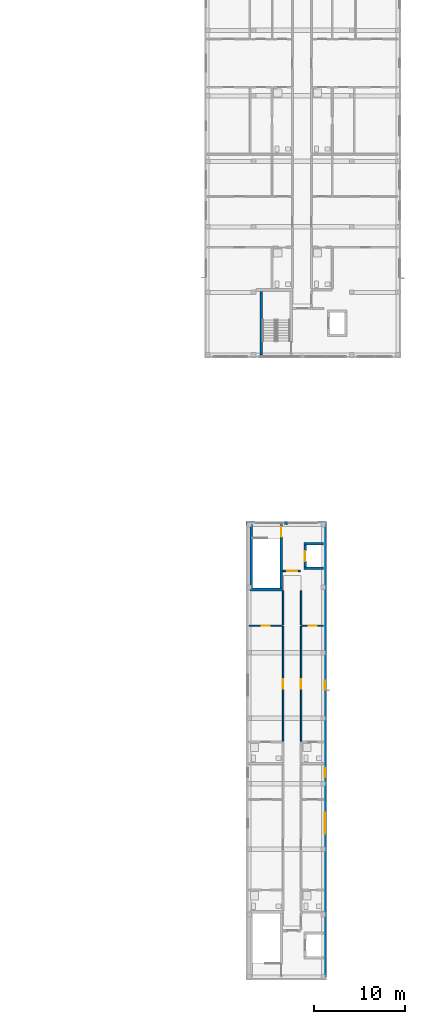
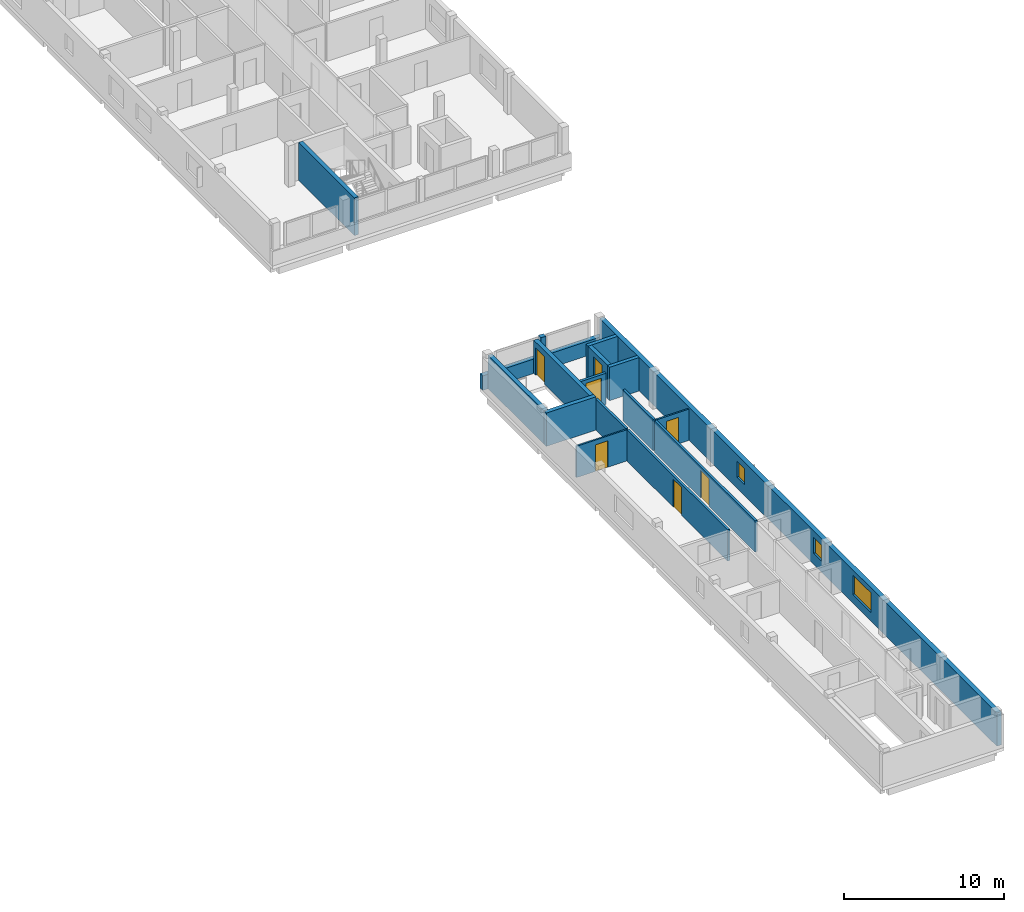
# One storey, part 15 of 28: 17 walls, 7 doors, 3 windows, 10 openings.
"""IFC4 building model written with IfcOpenShell, lengths in metres."""

from ifc_helpers import new_model, si_unit, derived_unit, direction, frame, frame_2d, origin, place, context, subcontext, project, spatial, rectangle, extrude, material, layer, layer_set, type_object, element, fill, save


model = new_model("IFC4")

# Units and contexts
model_context = context("Model", 3, precision=1e-05, world=origin(), true_north=direction((0.0, 1.0)))
body_context = subcontext(model_context, "Body", "Model", "MODEL_VIEW")
ifc_project = project(units=[si_unit("LENGTHUNIT", "METRE"), si_unit("AREAUNIT", "SQUARE_METRE"), si_unit("VOLUMEUNIT", "CUBIC_METRE"), si_unit("PLANEANGLEUNIT", "RADIAN"), si_unit("MASSUNIT", "GRAM", prefix="KILO"), derived_unit("THERMALTRANSMITTANCEUNIT", [(si_unit("MASSUNIT", "GRAM", prefix="KILO"), 1), (si_unit("TIMEUNIT", "SECOND"), -3), (si_unit("THERMODYNAMICTEMPERATUREUNIT", "KELVIN"), -1)])], contexts=[model_context])

# Site, building, storey
site_placement = place(None, origin())
site = spatial("IfcSite", under=ifc_project, at=site_placement, CompositionType="ELEMENT")
building_placement = place(site_placement, origin())
building = spatial("IfcBuilding", under=site, at=building_placement, Name="Ochrekiln Boulevard Commons", CompositionType="ELEMENT")
storey_placement = place(building_placement, frame((0.0, 0.0, 34.125)))
storey = spatial("IfcBuildingStorey", under=building, at=storey_placement, Name="L10", CompositionType="ELEMENT", Elevation=34.125)

# Wall, openings, windows
ifc_material_1 = material(Name="Desert ochre clinker brick masonry ASTM C216 Grade SW", Category="masonry")
ifc_layer_1 = layer(ifc_material_1, 0.330078125)
ifc_layer_set_1 = layer_set([ifc_layer_1], Name="Desert ochre clinker brick masonry ASTM C216 Grade SW")
wall_type_1 = type_object("IfcWallType", Name="WL-EXT-OCHRE-330", PredefinedType="SOLIDWALL", material=ifc_layer_set_1)
wall_1_placement = place(storey_placement, frame((164.43505859375, 0.330078125, 0.0), z_axis=(0.0, 0.0, 1.0), x_axis=(0.0, 1.0, 0.0)))
wall_1 = element("IfcWall", 1, at=wall_1_placement, inside=storey, type_object=wall_type_1, Name="Block C L10 E Exterior Wall", PredefinedType="SOLIDWALL", context=body_context, shape_type="SweptSolid", body=[
    extrude(rectangle(XDim=49.739990234375, YDim=0.330078125, at=frame_2d((24.8701171875, 0.0))), origin(), (0.0, 0.0, 1.0), 2.550048828125),
])
opening_1_placement = place(wall_1_placement, frame((15.740966796875, 0.0, 0.6650390625)))
opening_1 = element("IfcOpeningElement", 2, at=opening_1_placement, cuts=wall_1, Name="Opening W-58", PredefinedType="OPENING", context=body_context, shape_type="SweptSolid", body=[
    extrude(rectangle(XDim=2.300048828125, YDim=1.5, at=frame_2d((1.14990234375, 0.75))), frame((0.0, 0.175048828125, 0.0), z_axis=(0.0, -1.0, 0.0), x_axis=(1.0, 0.0, 0.0)), (0.0, 0.0, 1.0), 0.35009765625),
])
opening_2_placement = place(wall_1_placement, frame((21.98095703125, 0.0, 0.85009765625)))
opening_2 = element("IfcOpeningElement", 3, at=opening_2_placement, cuts=wall_1, Name="Opening W-01", PredefinedType="OPENING", context=body_context, shape_type="SweptSolid", body=[
    extrude(rectangle(XDim=0.949951171875, YDim=1.199951171875, at=frame_2d((0.47509765625, 0.60009765625))), frame((0.0, 0.175048828125, 0.0), z_axis=(0.0, -1.0, 0.0), x_axis=(1.0, 0.0, 0.0)), (0.0, 0.0, 1.0), 0.35009765625),
])
opening_3_placement = place(wall_1_placement, frame((31.594970703125, 0.0, 0.85009765625)))
opening_3 = element("IfcOpeningElement", 4, at=opening_3_placement, cuts=wall_1, Name="Opening W-01", PredefinedType="OPENING", context=body_context, shape_type="SweptSolid", body=[
    extrude(rectangle(XDim=0.949951171875, YDim=1.199951171875, at=frame_2d((0.47509765625, 0.60009765625))), frame((0.0, 0.175048828125, 0.0), z_axis=(0.0, -1.0, 0.0), x_axis=(1.0, 0.0, 0.0)), (0.0, 0.0, 1.0), 0.35009765625),
])
ifc_material_2 = material(Name="Thermally broken aluminium-clad oak frame", Category="aluminium")
window_type_1 = type_object("IfcWindowType", Name="WIN-EXT-01", PartitioningType="SINGLE_PANEL", PredefinedType="WINDOW", material=ifc_material_2)
window_1_placement = place(opening_2_placement, origin())
window_1 = element("IfcWindow", 5, at=window_1_placement, inside=storey, type_object=window_type_1, Name="Block C L10 Punched Masonry Window W-01", OverallHeight=1.199951171875, OverallWidth=0.949951171875, PartitioningType="SINGLE_PANEL", PredefinedType="WINDOW", context=body_context, shape_type="SweptSolid", body=[
    extrude(rectangle(XDim=0.949951171875, YDim=1.199951171875, at=frame_2d((0.47509765625, 0.60009765625))), frame((0.0, 0.030029296875, 0.0), z_axis=(0.0, -1.0, 0.0), x_axis=(1.0, 0.0, 0.0)), (0.0, 0.0, 1.0), 0.06005859375),
])
fill(opening_2, window_1)
window_2_placement = place(opening_3_placement, origin())
window_2 = element("IfcWindow", 6, at=window_2_placement, inside=storey, type_object=window_type_1, Name="Block C L10 Punched Masonry Window W-01", OverallHeight=1.199951171875, OverallWidth=0.949951171875, PartitioningType="SINGLE_PANEL", PredefinedType="WINDOW", context=body_context, shape_type="SweptSolid", body=[
    extrude(rectangle(XDim=0.949951171875, YDim=1.199951171875, at=frame_2d((0.47509765625, 0.60009765625))), frame((0.0, 0.030029296875, 0.0), z_axis=(0.0, -1.0, 0.0), x_axis=(1.0, 0.0, 0.0)), (0.0, 0.0, 1.0), 0.06005859375),
])
fill(opening_3, window_2)
window_type_2 = type_object("IfcWindowType", Name="WIN-EXT-58", PartitioningType="DOUBLE_PANEL_VERTICAL", PredefinedType="WINDOW", material=ifc_material_2)
window_3_placement = place(opening_1_placement, origin())
window_3 = element("IfcWindow", 7, at=window_3_placement, inside=storey, type_object=window_type_2, Name="Block C L10 Punched Masonry Window W-58", OverallHeight=1.5, OverallWidth=2.300048828125, PartitioningType="DOUBLE_PANEL_VERTICAL", PredefinedType="WINDOW", context=body_context, shape_type="SweptSolid", body=[
    extrude(rectangle(XDim=2.300048828125, YDim=1.5, at=frame_2d((1.14990234375, 0.75))), frame((0.0, 0.030029296875, 0.0), z_axis=(0.0, -1.0, 0.0), x_axis=(1.0, 0.0, 0.0)), (0.0, 0.0, 1.0), 0.06005859375),
])
fill(opening_1, window_3)

# Walls
wall_2_placement = place(storey_placement, frame((155.800048828125, 50.235107421875, 0.0), z_axis=(0.0, 0.0, 1.0), x_axis=(1.0, 0.0, 0.0)))
element("IfcWall", 8, at=wall_2_placement, inside=storey, type_object=wall_type_1, Name="Block C L10 Courtyard Gable Sill Wall", PredefinedType="SOLIDWALL", context=body_context, shape_type="SweptSolid", body=[
    extrude(rectangle(XDim=8.800048828125, YDim=0.330078125, at=frame_2d((4.39990234375, 0.0))), origin(), (0.0, 0.0, 1.0), 1.110107421875),
])
wall_3_placement = place(storey_placement, frame((160.02001953125, 50.235107421875, 1.110107421875), z_axis=(0.0, 0.0, 1.0), x_axis=(1.0, 0.0, 0.0)))
element("IfcWall", 9, at=wall_3_placement, inside=storey, type_object=wall_type_1, Name="Block C L10 Courtyard Gable Mullion Pier", PredefinedType="SOLIDWALL", context=body_context, shape_type="SweptSolid", body=[
    extrude(rectangle(XDim=0.35986328125, YDim=0.330078125, at=frame_2d((0.179931640625, 0.0))), origin(), (0.0, 0.0, 1.0), 1.43994140625),
])

# Wall, opening, door
ifc_material_3 = material(Name="Fire-rated Type X gypsum board on steel studs", Category="steel")
ifc_layer_2 = layer(ifc_material_3, 0.1650390625)
ifc_layer_set_2 = layer_set([ifc_layer_2], Name="Fire-rated Type X gypsum board on steel studs")
wall_type_2 = type_object("IfcWallType", Name="WL-PT-CORR-165", PredefinedType="PARTITIONING", material=ifc_layer_set_2)
wall_4_placement = place(storey_placement, frame((159.860107421875, 26.261962890625, 0.0), z_axis=(0.0, 0.0, 1.0), x_axis=(0.0, 1.0, 0.0)))
wall_4 = element("IfcWall", 10, at=wall_4_placement, inside=storey, type_object=wall_type_2, Name="L10 Interior Wall W-PC165", PredefinedType="PARTITIONING", context=body_context, shape_type="SweptSolid", body=[
    extrude(rectangle(XDim=12.608154296875, YDim=0.1650390625, at=frame_2d((6.30419921875, 0.0))), origin(), (0.0, 0.0, 1.0), 2.389892578125),
])
opening_4_placement = place(wall_4_placement, frame((5.779052734375, 0.0, 0.0)))
opening_4 = element("IfcOpeningElement", 11, at=opening_4_placement, cuts=wall_4, Name="Opening D-L10-1228", PredefinedType="OPENING", context=body_context, shape_type="SweptSolid", body=[
    extrude(rectangle(XDim=1.050048828125, YDim=2.1298828125, at=frame_2d((0.52490234375, 1.06494140625))), frame((0.0, 0.092529296875, 0.0), z_axis=(0.0, -1.0, 0.0), x_axis=(1.0, 0.0, 0.0)), (0.0, 0.0, 1.0), 0.18505859375),
])
ifc_material_4 = material(Name="Solid core architectural oak door leaf")
door_type_1 = type_object("IfcDoorType", Name="DR-INT-APT-105", OperationType="NOTDEFINED", PredefinedType="DOOR", material=ifc_material_4)
door_1_placement = place(opening_4_placement, origin())
door_1 = element("IfcDoor", 12, at=door_1_placement, inside=storey, type_object=door_type_1, Name="L10 Interior Door to Loft Living Room", OperationType="SINGLE_SWING_RIGHT", OverallHeight=2.1298828125, OverallWidth=1.050048828125, PredefinedType="DOOR", context=body_context, shape_type="SweptSolid", body=[
    extrude(rectangle(XDim=1.050048828125, YDim=2.1298828125, at=frame_2d((0.52490234375, 1.06494140625))), frame((0.0, 0.02490234375, 0.0), z_axis=(0.0, -1.0, 0.0), x_axis=(1.0, 0.0, 0.0)), (0.0, 0.0, 1.0), 0.050048828125),
])
fill(opening_4, door_1)

# Wall
wall_5_placement = place(storey_placement, frame((159.860107421875, 39.030029296875, 0.0), z_axis=(0.0, 0.0, 1.0), x_axis=(0.0, 1.0, 0.0)))
element("IfcWall", 13, at=wall_5_placement, inside=storey, type_object=wall_type_2, Name="L10 Interior Wall W-PC165", PredefinedType="PARTITIONING", context=body_context, shape_type="SweptSolid", body=[
    extrude(rectangle(XDim=3.77001953125, YDim=0.1650390625, at=frame_2d((1.885009765625, 0.0))), origin(), (0.0, 0.0, 1.0), 2.389892578125),
])

# Wall, opening, door
wall_6_placement = place(storey_placement, frame((161.840087890625, 26.261962890625, 0.0), z_axis=(0.0, 0.0, 1.0), x_axis=(0.0, 1.0, 0.0)))
wall_6 = element("IfcWall", 14, at=wall_6_placement, inside=storey, type_object=wall_type_2, Name="L10 Interior Wall W-PC165", PredefinedType="PARTITIONING", context=body_context, shape_type="SweptSolid", body=[
    extrude(rectangle(XDim=12.608154296875, YDim=0.1650390625, at=frame_2d((6.30419921875, 0.0))), origin(), (0.0, 0.0, 1.0), 2.389892578125),
])
opening_5_placement = place(wall_6_placement, frame((5.779052734375, 0.0, 0.0)))
opening_5 = element("IfcOpeningElement", 15, at=opening_5_placement, cuts=wall_6, Name="Opening D-L10-1230", PredefinedType="OPENING", context=body_context, shape_type="SweptSolid", body=[
    extrude(rectangle(XDim=1.050048828125, YDim=2.1298828125, at=frame_2d((0.52490234375, 1.06494140625))), frame((0.0, 0.092529296875, 0.0), z_axis=(0.0, -1.0, 0.0), x_axis=(1.0, 0.0, 0.0)), (0.0, 0.0, 1.0), 0.18505859375),
])
door_2_placement = place(opening_5_placement, frame((1.050048828125, 0.0, 0.0), z_axis=(0.0, 0.0, 1.0), x_axis=(-1.0, 0.0, 0.0)))
door_2 = element("IfcDoor", 16, at=door_2_placement, inside=storey, type_object=door_type_1, Name="L10 Interior Door to Loft Living Room", OperationType="SINGLE_SWING_RIGHT", OverallHeight=2.1298828125, OverallWidth=1.050048828125, PredefinedType="DOOR", context=body_context, shape_type="SweptSolid", body=[
    extrude(rectangle(XDim=1.050048828125, YDim=2.1298828125, at=frame_2d((0.52490234375, 1.06494140625))), frame((0.0, 0.02490234375, 0.0), z_axis=(0.0, -1.0, 0.0), x_axis=(1.0, 0.0, 0.0)), (0.0, 0.0, 1.0), 0.050048828125),
])
fill(opening_5, door_2)

# Wall
wall_7_placement = place(storey_placement, frame((161.840087890625, 39.030029296875, 0.0), z_axis=(0.0, 0.0, 1.0), x_axis=(0.0, 1.0, 0.0)))
element("IfcWall", 17, at=wall_7_placement, inside=storey, type_object=wall_type_2, Name="L10 Interior Wall W-PC165", PredefinedType="PARTITIONING", context=body_context, shape_type="SweptSolid", body=[
    extrude(rectangle(XDim=3.77001953125, YDim=0.1650390625, at=frame_2d((1.885009765625, 0.0))), origin(), (0.0, 0.0, 1.0), 2.389892578125),
])

# Wall, opening, door
ifc_layer_3 = layer(ifc_material_3, 0.18994140625)
ifc_layer_set_3 = layer_set([ifc_layer_3], Name="Fire-rated Type X gypsum board on steel studs")
wall_type_3 = type_object("IfcWallType", Name="WL-PT-LBY-190", PredefinedType="PARTITIONING", material=ifc_layer_set_3)
wall_8_placement = place(storey_placement, frame((159.800048828125, 44.97998046875, 0.0), z_axis=(0.0, 0.0, 1.0), x_axis=(1.0, 0.0, 0.0)))
wall_8 = element("IfcWall", 18, at=wall_8_placement, inside=storey, type_object=wall_type_3, Name="L10 Interior Wall W-PL190", PredefinedType="PARTITIONING", context=body_context, shape_type="SweptSolid", body=[
    extrude(rectangle(XDim=1.949951171875, YDim=0.18994140625, at=frame_2d((0.97509765625, 0.0))), origin(), (0.0, 0.0, 1.0), 2.389892578125),
])
opening_6_placement = place(wall_8_placement, frame((0.5, 0.0, 0.0)))
opening_6 = element("IfcOpeningElement", 19, at=opening_6_placement, cuts=wall_8, Name="Opening D-L10-1225", PredefinedType="OPENING", context=body_context, shape_type="SweptSolid", body=[
    extrude(rectangle(XDim=1.10009765625, YDim=2.1201171875, at=frame_2d((0.550048828125, 1.06005859375))), frame((0.0, 0.10498046875, 0.0), z_axis=(0.0, -1.0, 0.0), x_axis=(1.0, 0.0, 0.0)), (0.0, 0.0, 1.0), 0.2099609375),
])
ifc_material_5 = material(Name="Hollow metal fire-rated steel door assembly", Category="steel")
door_type_2 = type_object("IfcDoorType", Name="DR-LOBBY-60", OperationType="NOTDEFINED", PredefinedType="DOOR", material=ifc_material_5)
door_3_placement = place(opening_6_placement, origin())
door_3 = element("IfcDoor", 20, at=door_3_placement, inside=storey, type_object=door_type_2, Name="L10 Interior Door to Passenger Elevator Lobby", OperationType="SINGLE_SWING_LEFT", OverallHeight=2.1201171875, OverallWidth=1.10009765625, PredefinedType="DOOR", context=body_context, shape_type="SweptSolid", body=[
    extrude(rectangle(XDim=1.10009765625, YDim=2.1201171875, at=frame_2d((0.550048828125, 1.06005859375))), frame((0.0, 0.02490234375, 0.0), z_axis=(0.0, -1.0, 0.0), x_axis=(1.0, 0.0, 0.0)), (0.0, 0.0, 1.0), 0.050048828125),
])
fill(opening_6, door_3)

ifc_layer_4 = layer(ifc_material_3, 0.1201171875)
ifc_layer_set_4 = layer_set([ifc_layer_4], Name="Fire-rated Type X gypsum board on steel studs")
wall_type_4 = type_object("IfcWallType", Name="WL-PT-LGT-120", PredefinedType="PARTITIONING", material=ifc_layer_set_4)
wall_9_placement = place(storey_placement, frame((156.1298828125, 38.949951171875, 0.0), z_axis=(0.0, 0.0, 1.0), x_axis=(1.0, 0.0, 0.0)))
wall_9 = element("IfcWall", 21, at=wall_9_placement, inside=storey, type_object=wall_type_4, Name="L10 Interior Wall W-PL120", PredefinedType="PARTITIONING", context=body_context, shape_type="SweptSolid", body=[
    extrude(rectangle(XDim=3.648193359375, YDim=0.1201171875, at=frame_2d((1.82421875, 0.0))), origin(), (0.0, 0.0, 1.0), 2.389892578125),
])
opening_7_placement = place(wall_9_placement, frame((1.389892578125, 0.0, 0.0)))
opening_7 = element("IfcOpeningElement", 22, at=opening_7_placement, cuts=wall_9, Name="Opening D-L10-1234", PredefinedType="OPENING", context=body_context, shape_type="SweptSolid", body=[
    extrude(rectangle(XDim=0.8798828125, YDim=2.02001953125, at=frame_2d((0.43994140625, 1.010009765625))), frame((0.0, 0.070068359375, 0.0), z_axis=(0.0, -1.0, 0.0), x_axis=(1.0, 0.0, 0.0)), (0.0, 0.0, 1.0), 0.14013671875),
])
door_type_3 = type_object("IfcDoorType", Name="DR-INT-KIT-088", OperationType="NOTDEFINED", PredefinedType="DOOR", material=ifc_material_4)
door_4_placement = place(opening_7_placement, origin())
door_4 = element("IfcDoor", 23, at=door_4_placement, inside=storey, type_object=door_type_3, Name="L10 Interior Door to Loft Kitchen", OperationType="SINGLE_SWING_RIGHT", OverallHeight=2.02001953125, OverallWidth=0.8798828125, PredefinedType="DOOR", context=body_context, shape_type="SweptSolid", body=[
    extrude(rectangle(XDim=0.8798828125, YDim=2.02001953125, at=frame_2d((0.43994140625, 1.010009765625))), frame((0.0, 0.02490234375, 0.0), z_axis=(0.0, -1.0, 0.0), x_axis=(1.0, 0.0, 0.0)), (0.0, 0.0, 1.0), 0.050048828125),
])
fill(opening_7, door_4)

wall_10_placement = place(storey_placement, frame((161.923095703125, 38.949951171875, 0.0), z_axis=(0.0, 0.0, 1.0), x_axis=(1.0, 0.0, 0.0)))
wall_10 = element("IfcWall", 24, at=wall_10_placement, inside=storey, type_object=wall_type_4, Name="L10 Interior Wall W-PL120", PredefinedType="PARTITIONING", context=body_context, shape_type="SweptSolid", body=[
    extrude(rectangle(XDim=2.346923828125, YDim=0.1201171875, at=frame_2d((1.17333984375, 0.0))), origin(), (0.0, 0.0, 1.0), 2.389892578125),
])
opening_8_placement = place(wall_10_placement, frame((0.72705078125, 0.0, 0.0)))
opening_8 = element("IfcOpeningElement", 25, at=opening_8_placement, cuts=wall_10, Name="Opening D-L10-1238", PredefinedType="OPENING", context=body_context, shape_type="SweptSolid", body=[
    extrude(rectangle(XDim=0.8798828125, YDim=2.02001953125, at=frame_2d((0.43994140625, 1.010009765625))), frame((0.0, 0.070068359375, 0.0), z_axis=(0.0, -1.0, 0.0), x_axis=(1.0, 0.0, 0.0)), (0.0, 0.0, 1.0), 0.14013671875),
])
door_5_placement = place(opening_8_placement, origin())
door_5 = element("IfcDoor", 26, at=door_5_placement, inside=storey, type_object=door_type_3, Name="L10 Interior Door to Loft Kitchen", OperationType="SINGLE_SWING_RIGHT", OverallHeight=2.02001953125, OverallWidth=0.8798828125, PredefinedType="DOOR", context=body_context, shape_type="SweptSolid", body=[
    extrude(rectangle(XDim=0.8798828125, YDim=2.02001953125, at=frame_2d((0.43994140625, 1.010009765625))), frame((0.0, 0.02490234375, 0.0), z_axis=(0.0, -1.0, 0.0), x_axis=(1.0, 0.0, 0.0)), (0.0, 0.0, 1.0), 0.050048828125),
])
fill(opening_8, door_5)

# Walls
ifc_material_6 = material(Name="Concrete C40/50", Category="concrete")
ifc_layer_5 = layer(ifc_material_6, 0.27490234375)
ifc_layer_set_5 = layer_set([ifc_layer_5], Name="Concrete C40/50")
wall_type_5 = type_object("IfcWallType", Name="WL-SH-275", PredefinedType="SHEAR", material=ifc_layer_set_5)
for number, where, z_axis, x_axis, name in (
    (27, (162.125, 45.262451171875, 0.0), (0.0, 0.0, 1.0), (1.0, 0.0, 0.0), "Elevator LP-C2 L10 Hoistway Shear Wall"),
    (28, (162.125, 47.9375, 0.0), (0.0, 0.0, 1.0), (1.0, 0.0, 0.0), "Elevator LP-C2 L10 Hoistway Shear Wall"),
):
    element("IfcWall", number, at=place(storey_placement, frame(where, z_axis=z_axis, x_axis=x_axis)), inside=storey, type_object=wall_type_5, Name=name, PredefinedType="SHEAR", context=body_context, shape_type="SweptSolid", body=[
        extrude(rectangle(XDim=2.14990234375, YDim=0.27490234375, at=frame_2d((1.074951171875, 0.0))), origin(), (0.0, 0.0, 1.0), 2.550048828125),
    ])

# Wall, opening, door
wall_11_placement = place(storey_placement, frame((162.262451171875, 45.39990234375, 0.0), z_axis=(0.0, 0.0, 1.0), x_axis=(0.0, 1.0, 0.0)))
wall_11 = element("IfcWall", 29, at=wall_11_placement, inside=storey, type_object=wall_type_5, Name="Elevator LP-C2 L10 Hoistway Shear Wall", PredefinedType="SHEAR", context=body_context, shape_type="SweptSolid", body=[
    extrude(rectangle(XDim=2.400146484375, YDim=0.27490234375, at=frame_2d((1.2001953125, 0.0))), origin(), (0.0, 0.0, 1.0), 2.550048828125),
])
opening_9_placement = place(wall_11_placement, frame((0.64990234375, 0.0, 0.0)))
opening_9 = element("IfcOpeningElement", 30, at=opening_9_placement, cuts=wall_11, Name="Opening LD-LP-C2-L10", PredefinedType="OPENING", context=body_context, shape_type="SweptSolid", body=[
    extrude(rectangle(XDim=1.10009765625, YDim=2.14990234375, at=frame_2d((0.550048828125, 1.074951171875))), frame((0.0, 0.1474609375, 0.0), z_axis=(0.0, -1.0, 0.0), x_axis=(1.0, 0.0, 0.0)), (0.0, 0.0, 1.0), 0.294921875),
])
ifc_material_7 = material(Name="Brushed stainless steel 316 elevator cab and doors", Category="steel")
door_type_4 = type_object("IfcDoorType", Name="DR-LIFT-LD90", OperationType="SLIDING_TO_LEFT", PredefinedType="DOOR", material=ifc_material_7)
door_6_placement = place(opening_9_placement, origin())
door_6 = element("IfcDoor", 31, at=door_6_placement, inside=storey, type_object=door_type_4, Name="Elevator LP-C2 L10 Sliding Landing Door LD-LP-C2-L10", OperationType="SLIDING_TO_LEFT", OverallHeight=2.14990234375, OverallWidth=1.10009765625, PredefinedType="DOOR", context=body_context, shape_type="SweptSolid", body=[
    extrude(rectangle(XDim=1.10009765625, YDim=2.14990234375, at=frame_2d((0.550048828125, 1.074951171875))), frame((0.0, 0.02490234375, 0.0), z_axis=(0.0, -1.0, 0.0), x_axis=(1.0, 0.0, 0.0)), (0.0, 0.0, 1.0), 0.050048828125),
])
fill(opening_9, door_6)

# Walls
ifc_layer_6 = layer(ifc_material_6, 0.300048828125)
ifc_layer_set_6 = layer_set([ifc_layer_6], Name="Concrete C40/50")
wall_type_6 = type_object("IfcWallType", Name="WL-SH-300", PredefinedType="SHEAR", material=ifc_layer_set_6)
wall_12_placement = place(storey_placement, frame((157.449951171875, 68.719970703125, 0.0), z_axis=(0.0, 0.0, 1.0), x_axis=(0.0, 1.0, 0.0)))
element("IfcWall", 32, at=wall_12_placement, inside=storey, type_object=wall_type_6, Name="Stair ST-B1 L10 Core Shear Wall W", PredefinedType="SHEAR", context=body_context, shape_type="SweptSolid", body=[
    extrude(rectangle(XDim=7.0, YDim=0.300048828125, at=frame_2d((3.5, 0.0))), origin(), (0.0, 0.0, 1.0), 2.889892578125),
])
wall_13_placement = place(storey_placement, frame((156.199951171875, 42.929931640625, 0.0), z_axis=(0.0, 0.0, 1.0), x_axis=(1.0, 0.0, 0.0)))
element("IfcWall", 33, at=wall_13_placement, inside=storey, type_object=wall_type_6, Name="Stair ST-C2 L10 Core Shear Wall S", PredefinedType="SHEAR", context=body_context, shape_type="SweptSolid", body=[
    extrude(rectangle(XDim=3.60009765625, YDim=0.300048828125, at=frame_2d((1.800048828125, 0.0))), origin(), (0.0, 0.0, 1.0), 2.550048828125),
])
wall_14_placement = place(storey_placement, frame((156.35009765625, 43.080078125, 0.0), z_axis=(0.0, 0.0, 1.0), x_axis=(0.0, 1.0, 0.0)))
element("IfcWall", 34, at=wall_14_placement, inside=storey, type_object=wall_type_6, Name="Stair ST-C2 L10 Core Shear Wall W", PredefinedType="SHEAR", context=body_context, shape_type="SweptSolid", body=[
    extrude(rectangle(XDim=7.0, YDim=0.300048828125, at=frame_2d((3.5, 0.0))), origin(), (0.0, 0.0, 1.0), 2.550048828125),
])

# Wall, opening, door
wall_15_placement = place(storey_placement, frame((159.64990234375, 43.080078125, 0.0), z_axis=(0.0, 0.0, 1.0), x_axis=(0.0, 1.0, 0.0)))
wall_15 = element("IfcWall", 35, at=wall_15_placement, inside=storey, type_object=wall_type_6, Name="Stair ST-C2 L10 Core Shear Wall E", PredefinedType="SHEAR", context=body_context, shape_type="SweptSolid", body=[
    extrude(rectangle(XDim=7.0, YDim=0.300048828125, at=frame_2d((3.5, 0.0))), origin(), (0.0, 0.0, 1.0), 2.550048828125),
])
opening_10_placement = place(wall_15_placement, frame((5.625, 0.0, 0.0)))
opening_10 = element("IfcOpeningElement", 36, at=opening_10_placement, cuts=wall_15, Name="Opening D-L10-ST-C2", PredefinedType="OPENING", context=body_context, shape_type="SweptSolid", body=[
    extrude(rectangle(XDim=1.14990234375, YDim=2.1201171875, at=frame_2d((0.574951171875, 1.06005859375))), frame((0.0, 0.159912109375, 0.0), z_axis=(0.0, -1.0, 0.0), x_axis=(1.0, 0.0, 0.0)), (0.0, 0.0, 1.0), 0.320068359375),
])
door_type_5 = type_object("IfcDoorType", Name="DR-STAIR-90", OperationType="NOTDEFINED", PredefinedType="DOOR", material=ifc_material_5)
door_7_placement = place(opening_10_placement, origin())
door_7 = element("IfcDoor", 37, at=door_7_placement, inside=storey, type_object=door_type_5, Name="Enclosed Exit Stair ST-C2 L10 Rated Door", OperationType="SINGLE_SWING_RIGHT", OverallHeight=2.1201171875, OverallWidth=1.14990234375, PredefinedType="DOOR", context=body_context, shape_type="SweptSolid", body=[
    extrude(rectangle(XDim=1.14990234375, YDim=2.1201171875, at=frame_2d((0.574951171875, 1.06005859375))), frame((0.0, 0.02490234375, 0.0), z_axis=(0.0, -1.0, 0.0), x_axis=(1.0, 0.0, 0.0)), (0.0, 0.0, 1.0), 0.050048828125),
])
fill(opening_10, door_7)

save(model, "model.ifc")
